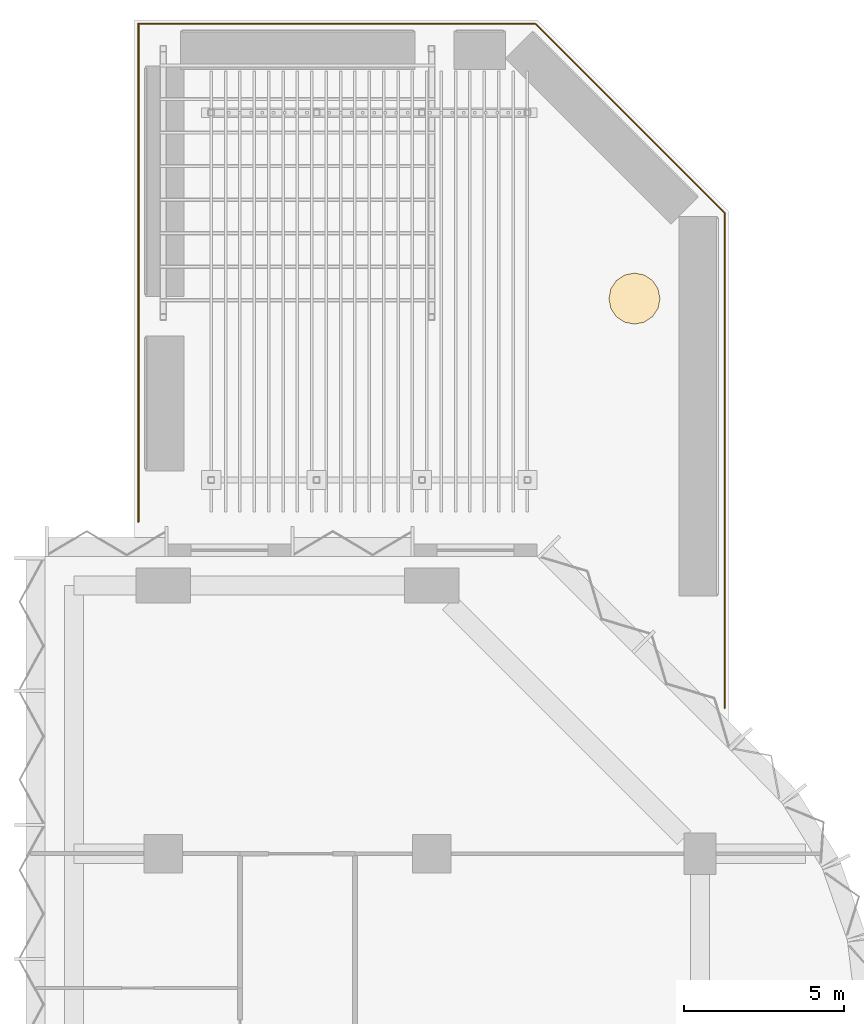
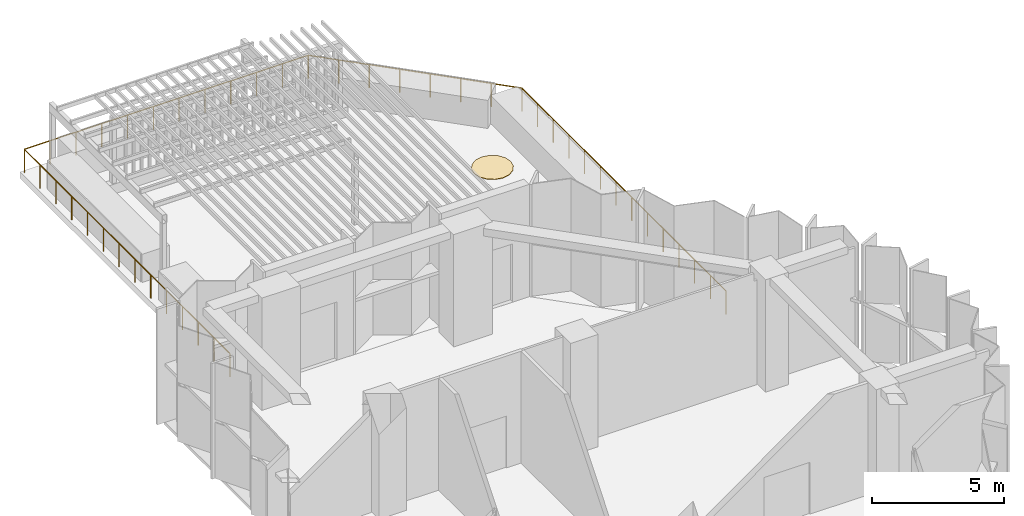
# One storey, part 14 of 15: 2 railings, 1 covering.
"""IFC4 building model written with IfcOpenShell, lengths in metres."""

import ifcopenshell
import ifcopenshell.guid

model = None  # the IFC model being written
_history = None  # IfcOwnerHistory: only IFC2X3 demands one
_inside = {}  # id of a spatial element -> (the spatial element, [elements in it])
_under = {}  # id of a project, library or spatial element -> (it, [spatial elements below it])
_declared = {}  # id of a project -> (the project, [libraries it declares])
_typed = {}  # id of a type object -> (the type object, [elements of that type])
_made_of = {}  # id of a material, layer set ... -> (it, [elements and type objects made of it])


def new_model(schema):
    """Start an empty IFC model of exactly this schema.

    Asked for "IFC4X3", IfcOpenShell would pick the latest addendum, in which some entities
    have other attributes; the version numbers below select the first issue.
    IFC2X3 requires an IfcOwnerHistory on every rooted entity: one is made here for all.
    """
    global model, _history
    if schema == "IFC4X3":
        model = ifcopenshell.file(schema_version=(4, 3, 0, 0))
    else:
        model = ifcopenshell.file(schema=schema)
    _inside.clear()
    _under.clear()
    _declared.clear()
    _typed.clear()
    _made_of.clear()
    _history = None
    if model.schema == "IFC2X3":
        org = make("IfcOrganization", Name="unknown")
        user = make(
            "IfcPersonAndOrganization",
            ThePerson=make("IfcPerson", FamilyName="unknown"),
            TheOrganization=org,
        )
        app = make(
            "IfcApplication",
            ApplicationDeveloper=org,
            Version="unknown",
            ApplicationFullName="unknown",
            ApplicationIdentifier="unknown",
        )
        _history = make(
            "IfcOwnerHistory",
            OwningUser=user,
            OwningApplication=app,
            ChangeAction="ADDED",
            CreationDate=0,
        )
    return model


def make(cls, **values):
    """One entity of the class cls with the attributes given. An attribute that is None is left unset."""
    return model.create_entity(
        cls, **{name: value for name, value in values.items() if value is not None}
    )


def rooted(cls, **values):
    """An entity with a GlobalId (a new one), such as an element, a storey or a relation."""
    return make(cls, GlobalId=ifcopenshell.guid.new(), OwnerHistory=_history, **values)


def si_unit(unit_type, name, prefix=None):
    """IfcSIUnit, for example si_unit("LENGTHUNIT", "METRE", prefix="MILLI")."""
    return make("IfcSIUnit", UnitType=unit_type, Prefix=prefix, Name=name)


def assignment(units):
    """IfcUnitAssignment: the units of a project."""
    return None if units is None else make("IfcUnitAssignment", Units=units)


def point(xyz):
    """IfcCartesianPoint."""
    return None if xyz is None else make("IfcCartesianPoint", Coordinates=xyz)


def direction(xyz):
    """IfcDirection."""
    return None if xyz is None else make("IfcDirection", DirectionRatios=xyz)


def frame(location, z_axis=None, x_axis=None):
    """IfcAxis2Placement3D, a coordinate frame: its origin and axes. An axis left out is left unset."""
    return make(
        "IfcAxis2Placement3D",
        Location=point(location),
        Axis=direction(z_axis),
        RefDirection=direction(x_axis),
    )


def frame_2d(location, x_axis=None):
    """IfcAxis2Placement2D, a coordinate frame in the plane: its origin and x axis."""
    return make(
        "IfcAxis2Placement2D", Location=point(location), RefDirection=direction(x_axis)
    )


def origin():
    """The frame at (0, 0, 0) with its axes left unset."""
    return frame((0.0, 0.0, 0.0))


def origin_2d():
    """The frame at (0, 0) in the plane with its x axis left unset."""
    return frame_2d((0.0, 0.0))


def place(relative_to, where):
    """IfcLocalPlacement: puts the frame where relative to a parent placement (None: the world)."""
    return make(
        "IfcLocalPlacement", PlacementRelTo=relative_to, RelativePlacement=where
    )


def context(
    kind, dimensions, precision=None, world=None, true_north=None, identifier=None
):
    """IfcGeometricRepresentationContext, for example the 3D "Model" context."""
    return make(
        "IfcGeometricRepresentationContext",
        ContextIdentifier=identifier,
        ContextType=kind,
        CoordinateSpaceDimension=dimensions,
        Precision=precision,
        WorldCoordinateSystem=world,
        TrueNorth=true_north,
    )


def subcontext(parent, identifier, kind, view, scale=None):
    """IfcGeometricRepresentationSubContext, for example "Body" below "Model"."""
    return make(
        "IfcGeometricRepresentationSubContext",
        ContextIdentifier=identifier,
        ContextType=kind,
        ParentContext=parent,
        TargetScale=scale,
        TargetView=view,
    )


def project(units=None, contexts=None):
    """IfcProject with its units and contexts."""
    return rooted(
        "IfcProject",
        Name="project",
        RepresentationContexts=contexts,
        UnitsInContext=assignment(units),
    )


def spatial(cls, under=None, at=None, **own):
    """A site, building, storey or space (cls), placed at a placement, below another one or the project."""
    s = rooted(cls, ObjectPlacement=at, **own)
    if under is not None:
        _under.setdefault(under.id(), (under, []))[1].append(s)
    return s


def polyline(points):
    """IfcPolyline through the points."""
    return make("IfcPolyline", Points=[point(p) for p in points])


def profile(cls, at=None, kind="AREA", **sizes):
    """A parametric profile (cls). Its sizes go by their IFC names, for example OverallWidth=200.0."""
    return make(cls, ProfileType=kind, Position=at, **sizes)


def circle(**sizes):
    """IfcCircleProfileDef."""
    return profile("IfcCircleProfileDef", **sizes)


def outline(outer, holes=None, kind="AREA"):
    """IfcArbitraryClosedProfileDef: a profile drawn as a closed curve; with holes, ...WithVoids."""
    if holes is None:
        return make("IfcArbitraryClosedProfileDef", ProfileType=kind, OuterCurve=outer)
    return make(
        "IfcArbitraryProfileDefWithVoids",
        ProfileType=kind,
        OuterCurve=outer,
        InnerCurves=holes,
    )


def extrude(swept, where, along, depth):
    """IfcExtrudedAreaSolid: the profile swept, set in the frame where, extruded along a direction by depth."""
    return make(
        "IfcExtrudedAreaSolid",
        SweptArea=swept,
        Position=where,
        ExtrudedDirection=direction(along),
        Depth=depth,
    )


def shape(context_of_items, identifier, shape_type, items):
    """IfcShapeRepresentation: the items that make up one representation, for example the "Body"."""
    return make(
        "IfcShapeRepresentation",
        ContextOfItems=context_of_items,
        RepresentationIdentifier=identifier,
        RepresentationType=shape_type,
        Items=items,
    )


def material(Name=None, Category=None):
    """IfcMaterial."""
    return make("IfcMaterial", Name=Name, Category=Category)


def layer(
    of_material, thickness, ventilated=None, Name=None, Category=None, Priority=None
):
    """IfcMaterialLayer: one layer of a wall or slab, of a material (None: an air gap)."""
    return make(
        "IfcMaterialLayer",
        Material=of_material,
        LayerThickness=thickness,
        IsVentilated=ventilated,
        Name=Name,
        Category=Category,
        Priority=Priority,
    )


def layer_set(layers, Name=None):
    """IfcMaterialLayerSet."""
    return make("IfcMaterialLayerSet", MaterialLayers=layers, LayerSetName=Name)


def made_of(thing, what):
    """Note that an element or type object is made of a material, layer set ...; save() writes the relation."""
    if what is not None:
        _made_of.setdefault(what.id(), (what, []))[1].append(thing)
    return thing


def type_object(cls, material=None, **own):
    """A type object (cls), such as IfcWallType, which elements share."""
    return made_of(rooted(cls, **own), material)


def element(
    cls,
    number,
    at=None,
    inside=None,
    cuts=None,
    type_object=None,
    material=None,
    context=None,
    identifier="Body",
    shape_type=None,
    held_by="IfcProductDefinitionShape",
    body=None,
    shapes=None,
    **own,
):
    """One element of the class cls, such as IfcWall. Its Tag is "e" and its number.

    at: its placement. inside: the storey or other place that contains it. cuts: it is an
    opening in that element (IfcRelVoidsElement). A single representation is given by context,
    identifier, shape_type and body (its items); several are given by shapes. held_by: the class
    of the entity that holds the representations. save() writes the other relations.
    """
    e = rooted(cls, Tag="e%d" % number, ObjectPlacement=at, **own)
    if body is not None:
        shapes = [shape(context, identifier, shape_type, body)]
    if shapes is not None:
        e.Representation = make(held_by, Representations=shapes)
    if inside is not None:
        _inside.setdefault(inside.id(), (inside, []))[1].append(e)
    if cuts is not None:
        rooted(
            "IfcRelVoidsElement", RelatingBuildingElement=cuts, RelatedOpeningElement=e
        )
    if type_object is not None:
        _typed.setdefault(type_object.id(), (type_object, []))[1].append(e)
    return made_of(e, material)


def aggregate(whole, parts):
    """IfcRelAggregates: a whole, such as a stair, and the parts it consists of."""
    return rooted("IfcRelAggregates", RelatingObject=whole, RelatedObjects=parts)


def save(model, path):
    """Write the relations noted so far, then the file.

    IfcRelAggregates (storeys below a building ...), IfcRelContainedInSpatialStructure (elements
    in a storey), IfcRelDefinesByType, IfcRelAssociatesMaterial and IfcRelDeclares: one each for
    every whole, place, type object, material and project.
    """
    for whole, parts in _under.values():
        aggregate(whole, parts)
    for where, things in _inside.values():
        rooted(
            "IfcRelContainedInSpatialStructure",
            RelatedElements=things,
            RelatingStructure=where,
        )
    for kind, things in _typed.values():
        rooted("IfcRelDefinesByType", RelatedObjects=things, RelatingType=kind)
    for what, things in _made_of.values():
        rooted("IfcRelAssociatesMaterial", RelatedObjects=things, RelatingMaterial=what)
    for by, libraries in _declared.values():
        rooted("IfcRelDeclares", RelatingContext=by, RelatedDefinitions=libraries)
    model.write(path)


model = new_model("IFC4")

# Units and contexts
model_context = context("Model", 3, precision=1e-05, world=origin(), true_north=direction((0.0, 1.0)))
body_context = subcontext(model_context, "Body", "Model", "MODEL_VIEW")
ifc_project = project(units=[si_unit("LENGTHUNIT", "METRE"), si_unit("AREAUNIT", "SQUARE_METRE"), si_unit("VOLUMEUNIT", "CUBIC_METRE"), si_unit("PLANEANGLEUNIT", "RADIAN"), si_unit("MASSUNIT", "GRAM", prefix="KILO")], contexts=[model_context])

# Site, building, storey
site_placement = place(None, origin())
site = spatial("IfcSite", under=ifc_project, at=site_placement, CompositionType="ELEMENT")
building_placement = place(site_placement, origin())
building = spatial("IfcBuilding", under=site, at=building_placement, Name="Brevane Broadcast Tower", CompositionType="ELEMENT")
storey_placement = place(building_placement, frame((0.0, 0.0, 156.5)))
storey = spatial("IfcBuildingStorey", under=building, at=storey_placement, Name="L39", CompositionType="ELEMENT", Elevation=156.5)

# Railings
ifc_material = material(Name="Stainless steel 1.4404", Category="steel")
railing_type = type_object("IfcRailingType", Name="Terrace guard 1100", PredefinedType="GUARDRAIL", material=ifc_material)
railing_1_placement = place(storey_placement, frame((7.6201171875, 67.97998046875, 0.0)))
element("IfcRailing", 1, at=railing_1_placement, inside=storey, type_object=railing_type, Name="Terrace guard L39-1", PredefinedType="GUARDRAIL", context=body_context, shape_type="SweptSolid", body=[
    extrude(circle(Radius=0.02392578125, at=origin_2d()), frame((0.0, 0.0, 1.076171875), z_axis=(1.0, 0.0, 0.0), x_axis=(0.0, 1.0, 0.0)), (0.0, 0.0, 1.0), 12.43017578125),
    extrude(circle(Radius=0.02392578125, at=origin_2d()), frame((12.43017578125, 0.0, 1.076171875), z_axis=(0.707106781187, -0.707106781187, 0.0), x_axis=(0.707106781187, 0.707106781187, 0.0)), (0.0, 0.0, 1.0), 8.3857421875),
    extrude(circle(Radius=0.02392578125, at=origin_2d()), frame((18.35986328125, -5.9296875, 1.076171875), z_axis=(0.0, -1.0, 0.0), x_axis=(1.0, 0.0, 0.0)), (0.0, 0.0, 1.0), 15.4921875),
    extrude(circle(Radius=0.02099609375, at=origin_2d()), origin(), (0.0, 0.0, 1.0), 1.052001953125),
    extrude(circle(Radius=0.02099609375, at=origin_2d()), frame((1.130126953125, 0.0, 0.0)), (0.0, 0.0, 1.0), 1.052001953125),
    extrude(circle(Radius=0.02099609375, at=origin_2d()), frame((2.260009765625, 0.0, 0.0)), (0.0, 0.0, 1.0), 1.052001953125),
    extrude(circle(Radius=0.02099609375, at=origin_2d()), frame((3.39013671875, 0.0, 0.0)), (0.0, 0.0, 1.0), 1.052001953125),
    extrude(circle(Radius=0.02099609375, at=origin_2d()), frame((4.52001953125, 0.0, 0.0)), (0.0, 0.0, 1.0), 1.052001953125),
    extrude(circle(Radius=0.02099609375, at=origin_2d()), frame((5.650146484375, 0.0, 0.0)), (0.0, 0.0, 1.0), 1.052001953125),
    extrude(circle(Radius=0.02099609375, at=origin_2d()), frame((6.780029296875, 0.0, 0.0)), (0.0, 0.0, 1.0), 1.052001953125),
    extrude(circle(Radius=0.02099609375, at=origin_2d()), frame((7.91015625, 0.0, 0.0)), (0.0, 0.0, 1.0), 1.052001953125),
    extrude(circle(Radius=0.02099609375, at=origin_2d()), frame((9.0400390625, 0.0, 0.0)), (0.0, 0.0, 1.0), 1.052001953125),
    extrude(circle(Radius=0.02099609375, at=origin_2d()), frame((10.170166015625, 0.0, 0.0)), (0.0, 0.0, 1.0), 1.052001953125),
    extrude(circle(Radius=0.02099609375, at=origin_2d()), frame((11.300048828125, 0.0, 0.0)), (0.0, 0.0, 1.0), 1.052001953125),
    extrude(circle(Radius=0.02099609375, at=origin_2d()), frame((12.43017578125, 0.0, 0.0)), (0.0, 0.0, 1.0), 1.052001953125),
    extrude(circle(Radius=0.02099609375, at=origin_2d()), frame((13.27734375, -0.84716796875, 0.0)), (0.0, 0.0, 1.0), 1.052001953125),
    extrude(circle(Radius=0.02099609375, at=origin_2d()), frame((14.124267578125, -1.694091796875, 0.0)), (0.0, 0.0, 1.0), 1.052001953125),
    extrude(circle(Radius=0.02099609375, at=origin_2d()), frame((14.971435546875, -2.541259765625, 0.0)), (0.0, 0.0, 1.0), 1.052001953125),
    extrude(circle(Radius=0.02099609375, at=origin_2d()), frame((15.818603515625, -3.388427734375, 0.0)), (0.0, 0.0, 1.0), 1.052001953125),
    extrude(circle(Radius=0.02099609375, at=origin_2d()), frame((16.665771484375, -4.235595703125, 0.0)), (0.0, 0.0, 1.0), 1.052001953125),
    extrude(circle(Radius=0.02099609375, at=origin_2d()), frame((17.5126953125, -5.08251953125, 0.0)), (0.0, 0.0, 1.0), 1.052001953125),
    extrude(circle(Radius=0.02099609375, at=origin_2d()), frame((18.35986328125, -5.9296875, 0.0)), (0.0, 0.0, 1.0), 1.052001953125),
    extrude(circle(Radius=0.02099609375, at=origin_2d()), frame((18.35986328125, -7.121337890625, 0.0)), (0.0, 0.0, 1.0), 1.052001953125),
    extrude(circle(Radius=0.02099609375, at=origin_2d()), frame((18.35986328125, -8.31298828125, 0.0)), (0.0, 0.0, 1.0), 1.052001953125),
    extrude(circle(Radius=0.02099609375, at=origin_2d()), frame((18.35986328125, -9.5048828125, 0.0)), (0.0, 0.0, 1.0), 1.052001953125),
    extrude(circle(Radius=0.02099609375, at=origin_2d()), frame((18.35986328125, -10.696533203125, 0.0)), (0.0, 0.0, 1.0), 1.052001953125),
    extrude(circle(Radius=0.02099609375, at=origin_2d()), frame((18.35986328125, -11.88818359375, 0.0)), (0.0, 0.0, 1.0), 1.052001953125),
    extrude(circle(Radius=0.02099609375, at=origin_2d()), frame((18.35986328125, -13.079833984375, 0.0)), (0.0, 0.0, 1.0), 1.052001953125),
    extrude(circle(Radius=0.02099609375, at=origin_2d()), frame((18.35986328125, -14.271728515625, 0.0)), (0.0, 0.0, 1.0), 1.052001953125),
    extrude(circle(Radius=0.02099609375, at=origin_2d()), frame((18.35986328125, -15.46337890625, 0.0)), (0.0, 0.0, 1.0), 1.052001953125),
    extrude(circle(Radius=0.02099609375, at=origin_2d()), frame((18.35986328125, -16.655029296875, 0.0)), (0.0, 0.0, 1.0), 1.052001953125),
    extrude(circle(Radius=0.02099609375, at=origin_2d()), frame((18.35986328125, -17.8466796875, 0.0)), (0.0, 0.0, 1.0), 1.052001953125),
    extrude(circle(Radius=0.02099609375, at=origin_2d()), frame((18.35986328125, -19.03857421875, 0.0)), (0.0, 0.0, 1.0), 1.052001953125),
    extrude(circle(Radius=0.02099609375, at=origin_2d()), frame((18.35986328125, -20.230224609375, 0.0)), (0.0, 0.0, 1.0), 1.052001953125),
    extrude(circle(Radius=0.02099609375, at=origin_2d()), frame((18.35986328125, -21.421875, 0.0)), (0.0, 0.0, 1.0), 1.052001953125),
])
railing_2_placement = place(storey_placement, frame((7.6201171875, 52.39404296875, 0.0)))
element("IfcRailing", 2, at=railing_2_placement, inside=storey, type_object=railing_type, Name="Terrace guard L39-2", PredefinedType="GUARDRAIL", context=body_context, shape_type="SweptSolid", body=[
    extrude(circle(Radius=0.02392578125, at=origin_2d()), frame((0.0, 0.0, 1.076171875), z_axis=(0.0, 1.0, 0.0), x_axis=(-1.0, 0.0, 0.0)), (0.0, 0.0, 1.0), 15.5859375),
    extrude(circle(Radius=0.02099609375, at=origin_2d()), origin(), (0.0, 0.0, 1.0), 1.052001953125),
    extrude(circle(Radius=0.02099609375, at=origin_2d()), frame((0.0, 1.198974609375, 0.0)), (0.0, 0.0, 1.0), 1.052001953125),
    extrude(circle(Radius=0.02099609375, at=origin_2d()), frame((0.0, 2.39794921875, 0.0)), (0.0, 0.0, 1.0), 1.052001953125),
    extrude(circle(Radius=0.02099609375, at=origin_2d()), frame((0.0, 3.5966796875, 0.0)), (0.0, 0.0, 1.0), 1.052001953125),
    extrude(circle(Radius=0.02099609375, at=origin_2d()), frame((0.0, 4.795654296875, 0.0)), (0.0, 0.0, 1.0), 1.052001953125),
    extrude(circle(Radius=0.02099609375, at=origin_2d()), frame((0.0, 5.99462890625, 0.0)), (0.0, 0.0, 1.0), 1.052001953125),
    extrude(circle(Radius=0.02099609375, at=origin_2d()), frame((0.0, 7.193603515625, 0.0)), (0.0, 0.0, 1.0), 1.052001953125),
    extrude(circle(Radius=0.02099609375, at=origin_2d()), frame((0.0, 8.392333984375, 0.0)), (0.0, 0.0, 1.0), 1.052001953125),
    extrude(circle(Radius=0.02099609375, at=origin_2d()), frame((0.0, 9.59130859375, 0.0)), (0.0, 0.0, 1.0), 1.052001953125),
    extrude(circle(Radius=0.02099609375, at=origin_2d()), frame((0.0, 10.790283203125, 0.0)), (0.0, 0.0, 1.0), 1.052001953125),
    extrude(circle(Radius=0.02099609375, at=origin_2d()), frame((0.0, 11.9892578125, 0.0)), (0.0, 0.0, 1.0), 1.052001953125),
    extrude(circle(Radius=0.02099609375, at=origin_2d()), frame((0.0, 13.18798828125, 0.0)), (0.0, 0.0, 1.0), 1.052001953125),
    extrude(circle(Radius=0.02099609375, at=origin_2d()), frame((0.0, 14.386962890625, 0.0)), (0.0, 0.0, 1.0), 1.052001953125),
    extrude(circle(Radius=0.02099609375, at=origin_2d()), frame((0.0, 15.5859375, 0.0)), (0.0, 0.0, 1.0), 1.052001953125),
])

# Covering
ifc_layer = layer(ifc_material, 0.02001953125)
ifc_layer_set = layer_set([ifc_layer], Name="Tree pit grating 20")
covering_type = type_object("IfcCoveringType", Name="Tree pit grating 20", PredefinedType="FLOORING", material=ifc_layer_set)
covering_placement = place(storey_placement, origin())
element("IfcCovering", 3, at=covering_placement, inside=storey, type_object=covering_type, Name="Tree pit L39-1", PredefinedType="FLOORING", context=body_context, shape_type="SweptSolid", body=[
    extrude(outline(polyline([(23.949951171875, 59.378173828125), (23.88916015625, 59.68408203125), (23.7158203125, 59.94384765625), (23.4560546875, 60.1171875), (23.14990234375, 60.177978515625), (22.843994140625, 60.1171875), (22.584228515625, 59.94384765625), (22.410888671875, 59.68408203125), (22.35009765625, 59.378173828125), (22.410888671875, 59.072021484375), (22.584228515625, 58.8125), (22.843994140625, 58.638916015625), (23.14990234375, 58.578125), (23.4560546875, 58.638916015625), (23.7158203125, 58.8125), (23.88916015625, 59.072021484375), (23.949951171875, 59.378173828125)])), origin(), (0.0, 0.0, 1.0), 0.02001953125),
])

save(model, "model.ifc")
